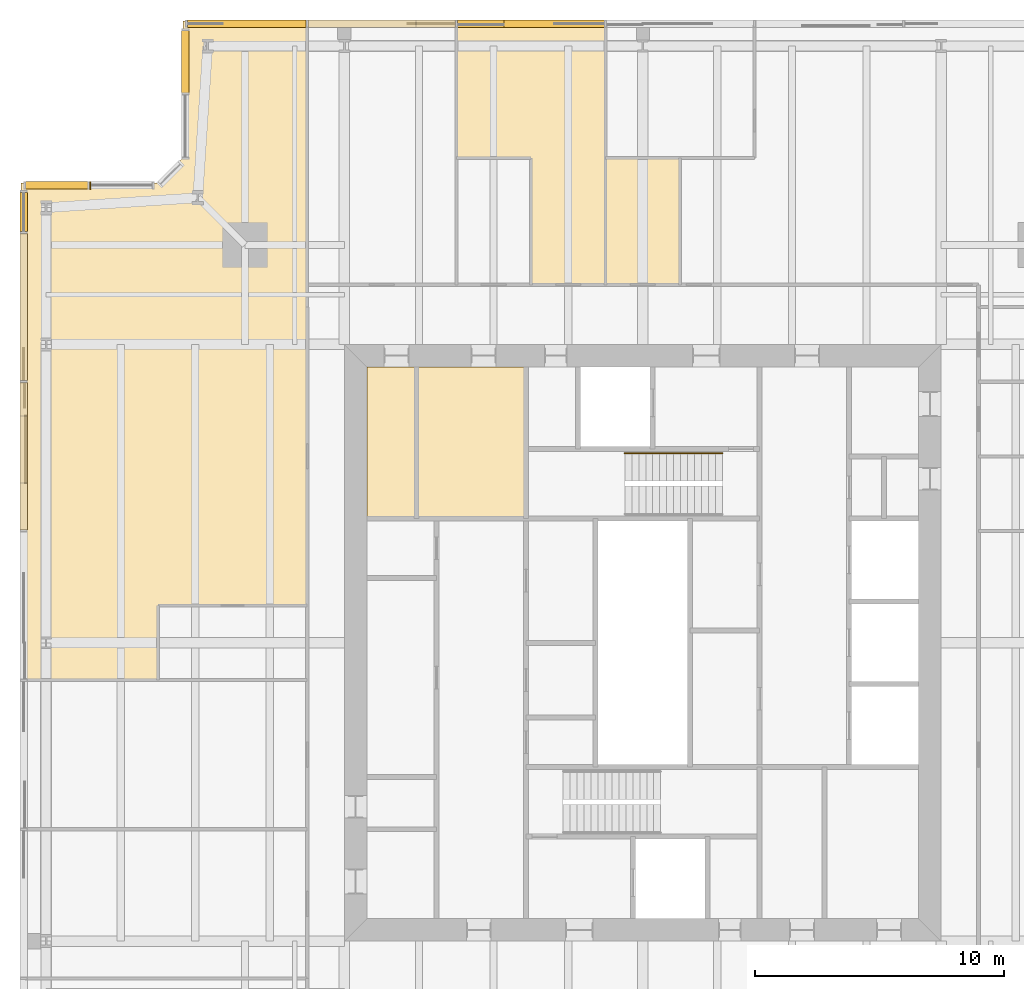
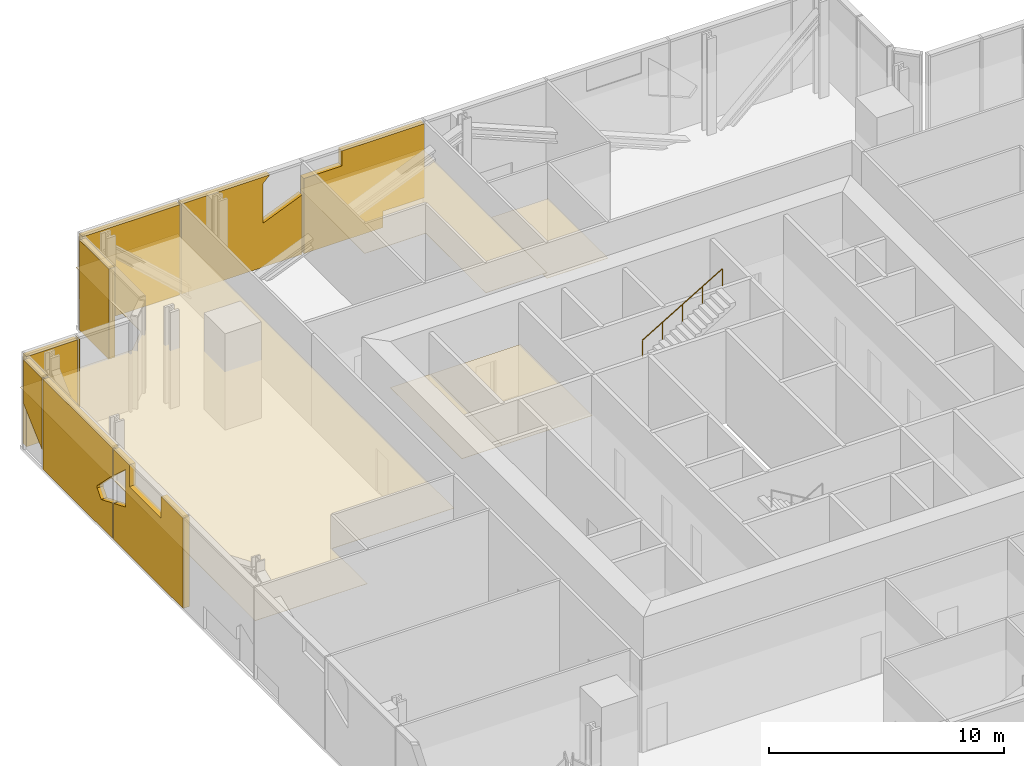
# One storey, part 14 of 15: 14 coverings, 1 railing.
"""IFC4 building model written with IfcOpenShell, lengths in metres."""

from ifc_helpers import new_model, si_unit, direction, frame, origin, origin_2d, place, context, subcontext, project, spatial, polyline, circle, outline, extrude, material, layer, layer_set, type_object, element, save


model = new_model("IFC4")

# Units and contexts
model_context = context("Model", 3, precision=1e-05, world=origin(), true_north=direction((0.0, 1.0)))
body_context = subcontext(model_context, "Body", "Model", "MODEL_VIEW")
ifc_project = project(units=[si_unit("LENGTHUNIT", "METRE"), si_unit("AREAUNIT", "SQUARE_METRE"), si_unit("VOLUMEUNIT", "CUBIC_METRE"), si_unit("PLANEANGLEUNIT", "RADIAN"), si_unit("MASSUNIT", "GRAM", prefix="KILO")], contexts=[model_context])

# Site, building, storey
site_placement = place(None, origin())
site = spatial("IfcSite", under=ifc_project, at=site_placement, CompositionType="ELEMENT")
building_placement = place(site_placement, origin())
building = spatial("IfcBuilding", under=site, at=building_placement, Name="Fenwick Lantern Interchange", CompositionType="ELEMENT")
storey_placement = place(building_placement, frame((0.0, 0.0, 296.800048828125)))
storey = spatial("IfcBuildingStorey", under=building, at=storey_placement, Name="L72", CompositionType="ELEMENT", Elevation=296.800048828125)

# Coverings
ifc_material_1 = material(Name="Mineral fibre acoustic tile on suspended grid")
ifc_layer_1 = layer(ifc_material_1, 0.02001953125)
ifc_layer_set_1 = layer_set([ifc_layer_1], Name="ACOUSTIC TILE CEILING 20")
covering_type_1 = type_object("IfcCoveringType", Name="ACOUSTIC TILE CEILING 20", PredefinedType="CEILING", material=ifc_layer_set_1)
covering_1_placement = place(storey_placement, frame((0.0, 0.0, 2.89990234375)))
element("IfcCovering", 1, at=covering_1_placement, inside=storey, type_object=covering_type_1, Name="Kitchen staff room ceiling", PredefinedType="CEILING", context=body_context, shape_type="SweptSolid", body=[
    extrude(outline(polyline([(26.5, 44.5), (23.5, 44.5), (23.5, 39.39990234375), (26.5, 39.39990234375), (26.5, 44.5)])), origin(), (0.0, 0.0, 1.0), 0.02001953125),
])
ifc_material_2 = material(Name="Granite cladding, warm grey flamed finish, on aluminium carrier frame", Category="masonry")
ifc_layer_2 = layer(ifc_material_2, 0.300048828125)
ifc_layer_set_2 = layer_set([ifc_layer_2], Name="BRACE CASING PANEL 300")
covering_type_2 = type_object("IfcCoveringType", Name="BRACE CASING PANEL 300", PredefinedType="CLADDING", material=ifc_layer_set_2)
covering_2_placement = place(storey_placement, frame((43.39990234375, 49.89990234375, 0.0), z_axis=(0.0, 0.0, 1.0), x_axis=(-1.0, 0.0, 0.0)))
element("IfcCovering", 2, at=covering_2_placement, inside=storey, type_object=covering_type_2, Name="Brace casing 09 bay 04a", PredefinedType="CLADDING", context=body_context, shape_type="SweptSolid", body=[
    extrude(outline(polyline([(21.965087890625, 0.0), (25.860107421875, 0.0), (25.860107421875, 3.90087890625), (23.987548828125, 3.90087890625), (23.987548828125, 4.679931640625), (19.93994140625, 4.679931640625), (19.93994140625, 0.843505859375), (21.965087890625, 0.843505859375), (21.965087890625, 0.0)])), frame((0.0, 0.14990234375, 0.0), z_axis=(0.0, -1.0, 0.0), x_axis=(1.0, 0.0, 0.0)), (0.0, 0.0, 1.0), 0.300048828125),
])
covering_3_placement = place(storey_placement, frame((43.39990234375, 49.89990234375, 0.0), z_axis=(0.0, 0.0, 1.0), x_axis=(-1.0, 0.0, 0.0)))
element("IfcCovering", 3, at=covering_3_placement, inside=storey, type_object=covering_type_2, Name="Brace casing 09 bay 05a", PredefinedType="CLADDING", context=body_context, shape_type="SweptSolid", body=[
    extrude(outline(polyline([(25.93994140625, 0.0), (31.860107421875, 0.0), (31.860107421875, 4.679931640625), (27.5244140625, 4.679931640625), (27.85693359375, 4.34765625), (27.85693359375, 2.28857421875), (25.93994140625, 3.087158203125), (25.93994140625, 0.0)])), frame((0.0, 0.14990234375, 0.0), z_axis=(0.0, -1.0, 0.0), x_axis=(1.0, 0.0, 0.0)), (0.0, 0.0, 1.0), 0.300048828125),
])
covering_4_placement = place(storey_placement, frame((43.39990234375, 49.89990234375, 0.0), z_axis=(0.0, 0.0, 1.0), x_axis=(-1.0, 0.0, 0.0)))
element("IfcCovering", 4, at=covering_4_placement, inside=storey, type_object=covering_type_2, Name="Brace casing 09 bay 06a", PredefinedType="CLADDING", context=body_context, shape_type="SweptSolid", body=[
    extrude(outline(polyline([(31.93994140625, 0.0), (35.2939453125, 0.0), (35.2939453125, 1.29541015625), (36.719970703125, 1.29541015625), (36.719970703125, 4.679931640625), (31.93994140625, 4.679931640625), (31.93994140625, 0.0)])), frame((0.0, 0.14990234375, 0.0), z_axis=(0.0, -1.0, 0.0), x_axis=(1.0, 0.0, 0.0)), (0.0, 0.0, 1.0), 0.300048828125),
])
covering_5_placement = place(storey_placement, frame((6.60009765625, 49.89990234375, 0.0), z_axis=(0.0, 0.0, 1.0), x_axis=(0.0, -1.0, 0.0)))
element("IfcCovering", 5, at=covering_5_placement, inside=storey, type_object=covering_type_2, Name="Brace casing 10 bay 00a", PredefinedType="CLADDING", context=body_context, shape_type="SweptSolid", body=[
    extrude(outline(polyline([(0.280029296875, 0.0), (2.78076171875, 0.0), (2.78076171875, 4.679931640625), (0.280029296875, 4.679931640625), (0.280029296875, 0.0)])), frame((0.0, 0.14990234375, 0.0), z_axis=(0.0, -1.0, 0.0), x_axis=(1.0, 0.0, 0.0)), (0.0, 0.0, 1.0), 0.300048828125),
])
covering_6_placement = place(storey_placement, frame((5.54150390625, 43.39990234375, 0.0), z_axis=(0.0, 0.0, 1.0), x_axis=(-1.0, 0.0, 0.0)))
element("IfcCovering", 6, at=covering_6_placement, inside=storey, type_object=covering_type_2, Name="Brace casing 12 bay 00a", PredefinedType="CLADDING", context=body_context, shape_type="SweptSolid", body=[
    extrude(outline(polyline([(2.741455078125, 0.0), (2.78076171875, 0.0), (2.78076171875, 4.679931640625), (2.741455078125, 4.679931640625), (2.741455078125, 0.0)])), frame((0.0, 0.14990234375, 0.0), z_axis=(0.0, -1.0, 0.0), x_axis=(1.0, 0.0, 0.0)), (0.0, 0.0, 1.0), 0.300048828125),
])
covering_7_placement = place(storey_placement, frame((5.54150390625, 43.39990234375, 0.0), z_axis=(0.0, 0.0, 1.0), x_axis=(-1.0, 0.0, 0.0)))
element("IfcCovering", 7, at=covering_7_placement, inside=storey, type_object=covering_type_2, Name="Brace casing 12 bay 01a", PredefinedType="CLADDING", context=body_context, shape_type="SweptSolid", body=[
    extrude(outline(polyline([(2.860595703125, 0.0), (5.361328125, 0.0), (5.361328125, 4.679931640625), (2.860595703125, 4.679931640625), (2.860595703125, 0.0)])), frame((0.0, 0.14990234375, 0.0), z_axis=(0.0, -1.0, 0.0), x_axis=(1.0, 0.0, 0.0)), (0.0, 0.0, 1.0), 0.300048828125),
])
covering_8_placement = place(storey_placement, frame((0.10009765625, 43.39990234375, 0.9736328125), z_axis=(0.0, 0.0, 1.0), x_axis=(0.0, -1.0, 0.0)))
element("IfcCovering", 8, at=covering_8_placement, inside=storey, type_object=covering_type_2, Name="Brace casing 13 bay 00a", PredefinedType="CLADDING", context=body_context, shape_type="SweptSolid", body=[
    extrude(outline(polyline([(1.860107421875, 0.0), (1.860107421875, 3.706298828125), (0.280029296875, 3.706298828125), (0.280029296875, 1.436279296875), (1.860107421875, 0.0)])), frame((0.0, 0.14990234375, 0.0), z_axis=(0.0, -1.0, 0.0), x_axis=(1.0, 0.0, 0.0)), (0.0, 0.0, 1.0), 0.300048828125),
])
covering_9_placement = place(storey_placement, frame((0.10009765625, 43.39990234375, 0.0), z_axis=(0.0, 0.0, 1.0), x_axis=(0.0, -1.0, 0.0)))
element("IfcCovering", 9, at=covering_9_placement, inside=storey, type_object=covering_type_2, Name="Brace casing 13 bay 01a", PredefinedType="CLADDING", context=body_context, shape_type="SweptSolid", body=[
    extrude(outline(polyline([(1.93994140625, 0.0), (7.860107421875, 0.0), (7.860107421875, 1.837158203125), (6.891845703125, 1.433837890625), (6.548095703125, 1.8203125), (6.548095703125, 1.952392578125), (7.64501953125, 3.049560546875), (7.860107421875, 3.24658203125), (7.860107421875, 4.679931640625), (1.93994140625, 4.679931640625), (1.93994140625, 0.0)])), frame((0.0, 0.14990234375, 0.0), z_axis=(0.0, -1.0, 0.0), x_axis=(1.0, 0.0, 0.0)), (0.0, 0.0, 1.0), 0.300048828125),
])
covering_10_placement = place(storey_placement, frame((0.10009765625, 43.39990234375, 0.0), z_axis=(0.0, 0.0, 1.0), x_axis=(0.0, -1.0, 0.0)))
element("IfcCovering", 10, at=covering_10_placement, inside=storey, type_object=covering_type_2, Name="Brace casing 13 bay 02a", PredefinedType="CLADDING", context=body_context, shape_type="SweptSolid", body=[
    extrude(outline(polyline([(7.93994140625, 0.0), (13.860107421875, 0.0), (13.860107421875, 4.679931640625), (11.978271484375, 4.679931640625), (11.978271484375, 3.55322265625), (9.278076171875, 3.55322265625), (9.278076171875, 4.679931640625), (7.93994140625, 4.679931640625), (7.93994140625, 3.31982421875), (8.943115234375, 4.239501953125), (8.943115234375, 2.28857421875), (7.93994140625, 1.87060546875), (7.93994140625, 0.0)])), frame((0.0, 0.14990234375, 0.0), z_axis=(0.0, -1.0, 0.0), x_axis=(1.0, 0.0, 0.0)), (0.0, 0.0, 1.0), 0.300048828125),
])

# Railing
ifc_material_3 = material(Name="Stainless steel handrail", Category="steel")
railing_type = type_object("IfcRailingType", Name="HANDRAIL 900", PredefinedType="HANDRAIL", material=ifc_material_3)
railing_placement = place(storey_placement, frame((24.280029296875, 32.6259765625, 2.66650390625)))
element("IfcRailing", 11, at=railing_placement, inside=storey, type_object=railing_type, Name="L72/STAIR/ST2/HR2", PredefinedType="HANDRAIL", context=body_context, shape_type="SweptSolid", body=[
    extrude(circle(Radius=0.02392578125, at=origin_2d()), frame((0.0, 0.0, 0.8759765625), z_axis=(0.859272722373, 0.0, 0.511517730471), x_axis=(0.0, 1.0, 0.0)), (0.0, 0.0, 1.0), 4.56201171875),
    extrude(circle(Radius=0.02099609375, at=origin_2d()), origin(), (0.0, 0.0, 1.0), 0.851806640625),
    extrude(circle(Radius=0.02099609375, at=origin_2d()), frame((0.97998046875, 0.0, 0.58349609375)), (0.0, 0.0, 1.0), 0.851806640625),
    extrude(circle(Radius=0.02099609375, at=origin_2d()), frame((1.9599609375, 0.0, 1.166748046875)), (0.0, 0.0, 1.0), 0.851806640625),
    extrude(circle(Radius=0.02099609375, at=origin_2d()), frame((2.93994140625, 0.0, 1.75)), (0.0, 0.0, 1.0), 0.851806640625),
    extrude(circle(Radius=0.02099609375, at=origin_2d()), frame((3.919921875, 0.0, 2.33349609375)), (0.0, 0.0, 1.0), 0.851806640625),
])

# Coverings
ifc_material_4 = material(Name="Moisture resistant gypsum board on suspended frame, painted")
ifc_layer_3 = layer(ifc_material_4, 0.014892578125)
ifc_layer_set_3 = layer_set([ifc_layer_3], Name="MOISTURE RESISTANT CEILING 15")
covering_type_3 = type_object("IfcCoveringType", Name="MOISTURE RESISTANT CEILING 15", PredefinedType="CEILING", material=ifc_layer_set_3)
covering_11_placement = place(storey_placement, frame((0.0, 0.0, 2.599853515625)))
element("IfcCovering", 12, at=covering_11_placement, inside=storey, type_object=covering_type_3, Name="Women's WC ceiling", PredefinedType="CEILING", context=body_context, shape_type="SweptSolid", body=[
    extrude(outline(polyline([(20.300048828125, 36.10009765625), (15.89990234375, 36.10009765625), (15.89990234375, 30.0), (20.300048828125, 30.0), (20.300048828125, 36.10009765625)])), origin(), (0.0, 0.0, 1.0), 0.01513671875),
])
covering_12_placement = place(storey_placement, frame((0.0, 0.0, 2.599853515625)))
element("IfcCovering", 13, at=covering_12_placement, inside=storey, type_object=covering_type_3, Name="Men's WC ceiling", PredefinedType="CEILING", context=body_context, shape_type="SweptSolid", body=[
    extrude(outline(polyline([(15.89990234375, 36.10009765625), (13.89990234375, 36.10009765625), (13.89990234375, 30.0), (15.89990234375, 30.0), (15.89990234375, 36.10009765625)])), origin(), (0.0, 0.0, 1.0), 0.01513671875),
])
covering_13_placement = place(storey_placement, frame((0.0, 0.0, 3.0)))
element("IfcCovering", 14, at=covering_13_placement, inside=storey, type_object=covering_type_3, Name="Pastry kitchen ceiling", PredefinedType="CEILING", context=body_context, shape_type="SweptSolid", body=[
    extrude(outline(polyline([(0.0, 43.5), (0.0, 23.5), (5.5, 23.5), (5.5, 26.5), (11.5, 26.5), (11.5, 50.0), (6.5, 50.0), (6.5, 44.5), (5.5, 43.5), (0.0, 43.5)])), origin(), (0.0, 0.0, 1.0), 0.014892578125),
])
ifc_material_5 = material(Name="Gypsum plasterboard on suspended frame, painted")
ifc_layer_4 = layer(ifc_material_5, 0.014892578125)
ifc_layer_set_4 = layer_set([ifc_layer_4], Name="PLASTERBOARD CEILING 15")
covering_type_4 = type_object("IfcCoveringType", Name="PLASTERBOARD CEILING 15", PredefinedType="CEILING", material=ifc_layer_set_4)
covering_14_placement = place(storey_placement, frame((0.0, 0.0, 3.199951171875)))
element("IfcCovering", 15, at=covering_14_placement, inside=storey, type_object=covering_type_4, Name="Restaurant private dining room ceiling", PredefinedType="CEILING", context=body_context, shape_type="SweptSolid", body=[
    extrude(outline(polyline([(17.5, 44.5), (20.5, 44.5), (20.5, 39.39990234375), (23.5, 39.39990234375), (23.5, 50.0), (17.5, 50.0), (17.5, 44.5)])), origin(), (0.0, 0.0, 1.0), 0.014892578125),
])

save(model, "model.ifc")
